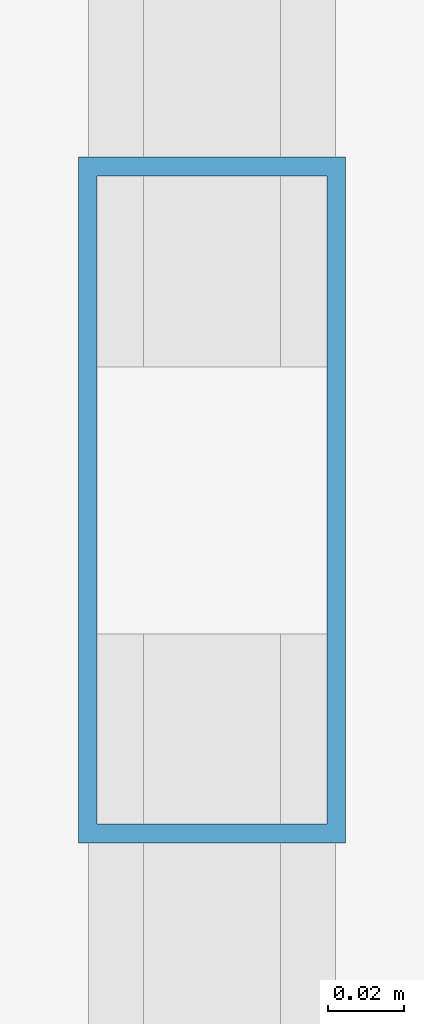
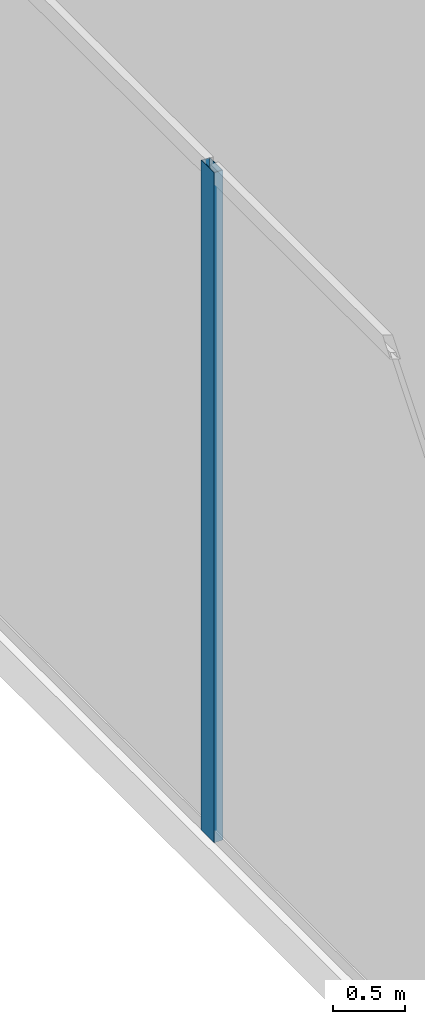
# One storey, part 6 of 30: 1 member, 1 element without a shape of its own.
"""IFC4 building model written with IfcOpenShell, lengths in metres."""

from ifc_helpers import new_model, si_unit, direction, frame, origin, origin_2d, place, context, subcontext, project, spatial, hollow_rectangle, extrude, source, transform, mapped, material, layer, layer_set, material_profile, profile_set, type_object, type_shapes, element, aggregate, save


model = new_model("IFC4")

# Units and contexts
model_context = context("Model", 3, precision=1e-05, world=origin(), true_north=direction((0.0, 1.0)))
body_context = subcontext(model_context, "Body", "Model", "MODEL_VIEW")
ifc_project = project(units=[si_unit("LENGTHUNIT", "METRE"), si_unit("AREAUNIT", "SQUARE_METRE"), si_unit("VOLUMEUNIT", "CUBIC_METRE"), si_unit("PLANEANGLEUNIT", "RADIAN"), si_unit("MASSUNIT", "GRAM", prefix="KILO")], contexts=[model_context])

# Site, building, storey
site_placement = place(None, origin())
site = spatial("IfcSite", under=ifc_project, at=site_placement, CompositionType="ELEMENT")
building_placement = place(site_placement, origin())
building = spatial("IfcBuilding", under=site, at=building_placement, Name="Haelvirn Gate Laboratories", CompositionType="ELEMENT")
storey_placement = place(building_placement, frame((0.0, 0.0, 291.60009765625)))
storey = spatial("IfcBuildingStorey", under=building, at=storey_placement, Name="L70", CompositionType="ELEMENT", Elevation=291.60009765625)

# Curtain wall, member
ifc_material_1 = material(Name="Anodised bronze unitised aluminium & triple low-E glass", Category="aluminium")
ifc_layer = layer(ifc_material_1, 0.176025390625, Name="CW-SYS-4")
ifc_layer_set = layer_set([ifc_layer], Name="Anodised bronze unitised aluminium & triple low-E glass")
curtain_wall_type = type_object("IfcCurtainWallType", Name="CW-SYS-4", PredefinedType="NOTDEFINED", material=ifc_layer_set)
curtain_wall_placement = place(storey_placement, origin())
curtain_wall = element("IfcCurtainWall", 1, at=curtain_wall_placement, inside=storey, type_object=curtain_wall_type, Name="L70 Unitised Curtain Wall CW-L70-P0-E05", PredefinedType="NOTDEFINED")
ifc_material_2 = material(Name="Extruded aluminium 6063-T6 (anodised bronze)", Category="aluminium")
ifc_material_profile = material_profile(ifc_material_2, hollow_rectangle(XDim=0.070068359375, YDim=0.179931640625, WallThickness=0.0048828125, at=origin_2d()), Name="CWM-180x70x5")
ifc_profile_set = profile_set([ifc_material_profile], Name="Extruded aluminium 6063-T6 (anodised bronze)")
member_type = type_object("IfcMemberType", Name="CWM-T180", PredefinedType="MULLION", material=ifc_profile_set)
shared_shape = source(origin(), body_context, "Body", "SweptSolid", [
    extrude(hollow_rectangle(XDim=0.070068359375, YDim=0.179931640625, WallThickness=0.0048828125, at=origin_2d()), origin(), (0.0, 0.0, 1.0), 5.699951171875),
])
type_shapes(member_type, [shared_shape])
member_placement = place(storey_placement, frame((4.10009765625, 24.300048828125, 0.0), z_axis=(0.0, 0.0, 1.0), x_axis=(1.0, 0.0, 0.0)))
member = element("IfcMember", 2, at=member_placement, type_object=member_type, Name="CW4 mullion 2", PredefinedType="MULLION", context=body_context, shape_type="MappedRepresentation", body=[
    mapped(shared_shape, transform((0.0, 0.0, 0.0), scale=1.0)),
])
aggregate(curtain_wall, [member])

save(model, "model.ifc")
